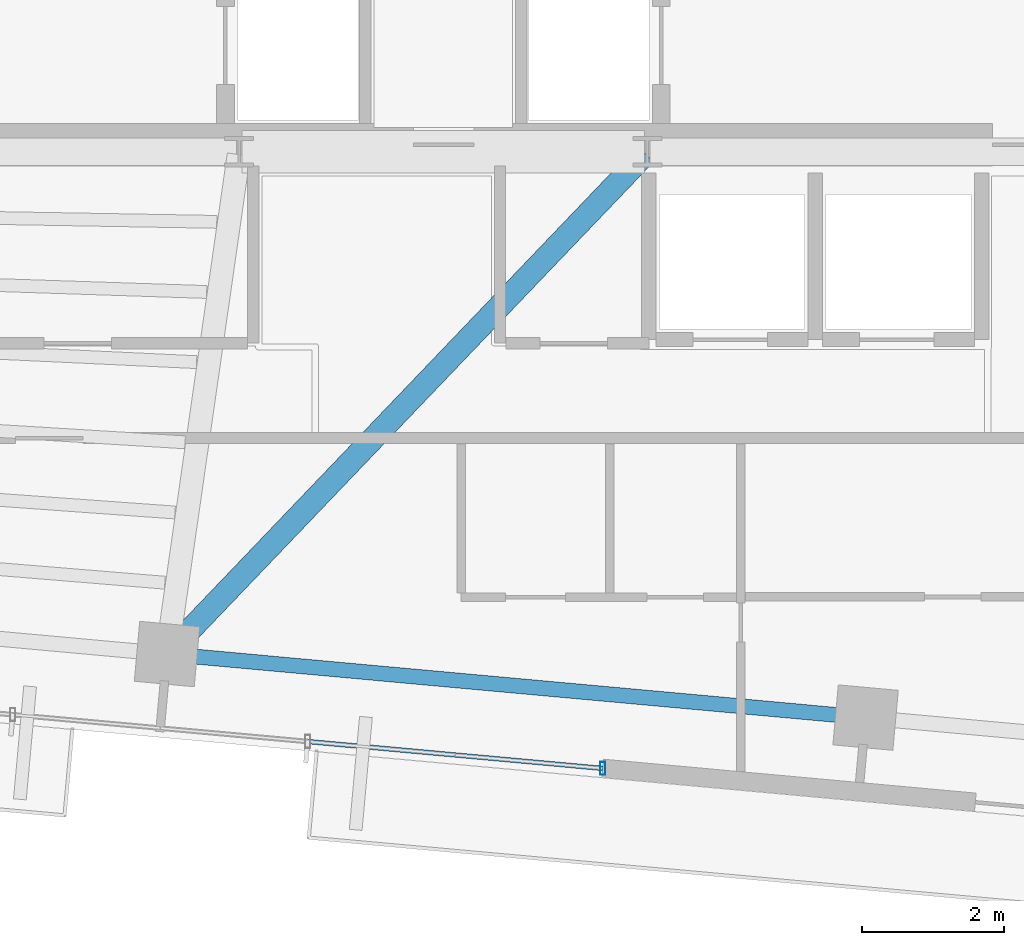
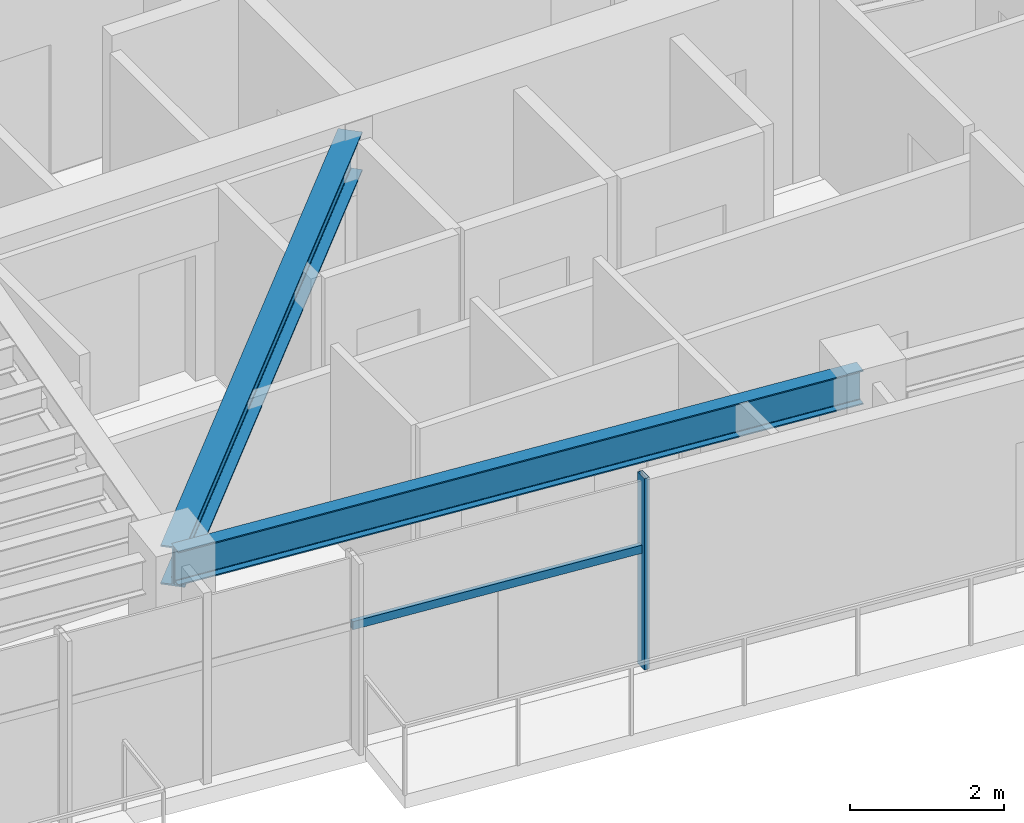
# One storey, part 7 of 22: 2 beams, 2 members, 1 element without a shape of its own.
"""IFC4 building model written with IfcOpenShell, lengths in metres."""

from ifc_helpers import new_model, si_unit, direction, frame, origin, origin_2d, place, context, subcontext, project, spatial, hollow_rectangle, i_section, extrude, source, transform, mapped, material, material_profile, profile_set, type_object, type_shapes, element, aggregate, save


model = new_model("IFC4")

# Units and contexts
model_context = context("Model", 3, precision=1e-05, world=origin(), true_north=direction((0.0, 1.0)))
body_context = subcontext(model_context, "Body", "Model", "MODEL_VIEW")
ifc_project = project(units=[si_unit("LENGTHUNIT", "METRE"), si_unit("AREAUNIT", "SQUARE_METRE"), si_unit("VOLUMEUNIT", "CUBIC_METRE"), si_unit("PLANEANGLEUNIT", "RADIAN"), si_unit("MASSUNIT", "GRAM", prefix="KILO")], contexts=[model_context])

# Site, building, storey
site_placement = place(None, origin())
site = spatial("IfcSite", under=ifc_project, at=site_placement, CompositionType="ELEMENT")
building_placement = place(site_placement, origin())
building = spatial("IfcBuilding", under=site, at=building_placement, Name="Astriad Promenade Condominiums", CompositionType="ELEMENT")
storey_placement = place(building_placement, frame((0.0, 0.0, 252.89990234375)))
storey = spatial("IfcBuildingStorey", under=building, at=storey_placement, Name="L73", CompositionType="ELEMENT", Elevation=252.89990234375)

# Beams
ifc_material_1 = material(Name="Steel ASTM A992 Grade 50", Category="steel")
ifc_material_profile_1 = material_profile(ifc_material_1, i_section(OverallWidth=0.210693359375, OverallDepth=0.53955078125, WebThickness=0.01171875, FlangeThickness=0.018798828125, FilletRadius=0.0166015625, at=origin_2d()), Name="W21X73")
ifc_profile_set_1 = profile_set([ifc_material_profile_1], Name="Steel ASTM A992 Grade 50")
beam_type_1 = type_object("IfcBeamType", Name="STEEL SPANDREL BEAM W21X73", PredefinedType="SPANDREL", material=ifc_profile_set_1)
shared_shape_1 = source(origin(), body_context, "Body", "SweptSolid", [
    extrude(i_section(OverallWidth=0.210693359375, OverallDepth=0.53955078125, WebThickness=0.01171875, FlangeThickness=0.018798828125, FilletRadius=0.0166015625, at=origin_2d()), origin(), (0.0, 0.0, 1.0), 9.820068359375),
])
type_shapes(beam_type_1, [shared_shape_1])
beam_1_placement = place(storey_placement, frame((32.14013671875, 10.30810546875, 2.7705078125), z_axis=(0.995885663174, -0.090618683965, 0.0), x_axis=(0.090618683965, 0.995885663174, 0.0)))
element("IfcBeam", 1, at=beam_1_placement, inside=storey, type_object=beam_type_1, Name="Perimeter Spandrel Beam SP-S3-L73", PredefinedType="SPANDREL", context=body_context, shape_type="MappedRepresentation", body=[
    mapped(shared_shape_1, transform((0.0, 0.0, 0.0), scale=1.0)),
])
ifc_material_profile_2 = material_profile(ifc_material_1, i_section(OverallWidth=0.326416015625, OverallDepth=0.621826171875, WebThickness=0.015380859375, FlangeThickness=0.0244140625, FilletRadius=0.017822265625, at=origin_2d()), Name="W24X131")
ifc_profile_set_2 = profile_set([ifc_material_profile_2], Name="Steel ASTM A992 Grade 50")
beam_type_2 = type_object("IfcBeamType", Name="STEEL FLOOR GIRDER W24X131", PredefinedType="BEAM", material=ifc_profile_set_2)
shared_shape_2 = source(origin(), body_context, "Body", "SweptSolid", [
    extrude(i_section(OverallWidth=0.326416015625, OverallDepth=0.621826171875, WebThickness=0.015380859375, FlangeThickness=0.0244140625, FilletRadius=0.017822265625, at=origin_2d()), origin(), (0.0, 0.0, 1.0), 9.728515625),
])
type_shapes(beam_type_2, [shared_shape_2])
beam_2_placement = place(storey_placement, frame((32.1279296875, 10.3408203125, 2.729248046875), z_axis=(0.691209540622, 0.722654392468, 0.0), x_axis=(-0.722654392468, 0.691209540622, 0.0)))
element("IfcBeam", 2, at=beam_2_placement, inside=storey, type_object=beam_type_2, Name="Primary Floor Girder PG-C2-L73", PredefinedType="BEAM", context=body_context, shape_type="MappedRepresentation", body=[
    mapped(shared_shape_2, transform((0.0, 0.0, 0.0), scale=1.0)),
])

# Curtain wall, members
ifc_material_2 = material(Name="Anodised aluminium Black Dark Glass Unitised", Category="aluminium")
curtain_wall_type = type_object("IfcCurtainWallType", Name="CW-B5-DARK", PredefinedType="USERDEFINED", material=ifc_material_2)
curtain_wall_placement = place(storey_placement, origin())
curtain_wall = element("IfcCurtainWall", 3, at=curtain_wall_placement, inside=storey, type_object=curtain_wall_type, Name="CW-L73-S", ObjectType="UNITISED_CURTAIN_WALL", PredefinedType="USERDEFINED")
ifc_material_3 = material(Name="Anodised aluminium 6063-T6 Black", Category="aluminium")
ifc_material_profile_3 = material_profile(ifc_material_3, hollow_rectangle(XDim=0.06494140625, YDim=0.1298828125, WallThickness=0.00390625, at=origin_2d()), Name="ALU-TRN-65X130")
ifc_profile_set_3 = profile_set([ifc_material_profile_3], Name="Anodised aluminium 6063-T6 Black")
member_type_1 = type_object("IfcMemberType", Name="TRN-ALU-TRN-65X130", PredefinedType="USERDEFINED", material=ifc_profile_set_3)
shared_shape_3 = source(origin(), body_context, "Body", "SweptSolid", [
    extrude(hollow_rectangle(XDim=0.06494140625, YDim=0.1298828125, WallThickness=0.00390625, at=origin_2d()), origin(), (0.0, 0.0, 1.0), 4.179931640625),
])
type_shapes(member_type_1, [shared_shape_3])
member_1_placement = place(storey_placement, frame((38.24951171875, 8.69775390625, 1.885009765625), z_axis=(-0.995883146811, 0.090646334165, 0.0), x_axis=(-0.090646334165, -0.995883146811, 0.0)))
member_1 = element("IfcMember", 4, at=member_1_placement, type_object=member_type_1, Name="CW-L73-S-TRN-00-0", ObjectType="TRANSOM", PredefinedType="USERDEFINED", context=body_context, shape_type="MappedRepresentation", body=[
    mapped(shared_shape_3, transform((0.0, 0.0, 0.0), scale=1.0)),
])
ifc_material_profile_4 = material_profile(ifc_material_3, hollow_rectangle(XDim=0.074951171875, YDim=0.18505859375, WallThickness=0.00439453125, at=origin_2d()), Name="ALU-MUL-75X185")
ifc_profile_set_4 = profile_set([ifc_material_profile_4], Name="Anodised aluminium 6063-T6 Black")
member_type_2 = type_object("IfcMemberType", Name="MUL-ALU-MUL-75X185", PredefinedType="MULLION", material=ifc_profile_set_4)
shared_shape_4 = source(origin(), body_context, "Body", "SweptSolid", [
    extrude(hollow_rectangle(XDim=0.074951171875, YDim=0.18505859375, WallThickness=0.00439453125, at=origin_2d()), origin(), (0.0, 0.0, 1.0), 3.0400390625),
])
type_shapes(member_type_2, [shared_shape_4])
member_2_placement = place(storey_placement, frame((38.24951171875, 8.69775390625, 0.0), z_axis=(0.0, 0.0, 1.0), x_axis=(1.0, 0.0, 0.0)))
member_2 = element("IfcMember", 5, at=member_2_placement, type_object=member_type_2, Name="CW-L73-S-MUL-00", PredefinedType="MULLION", context=body_context, shape_type="MappedRepresentation", body=[
    mapped(shared_shape_4, transform((0.0, 0.0, 0.0), scale=1.0)),
])
aggregate(curtain_wall, [member_2, member_1])

save(model, "model.ifc")
